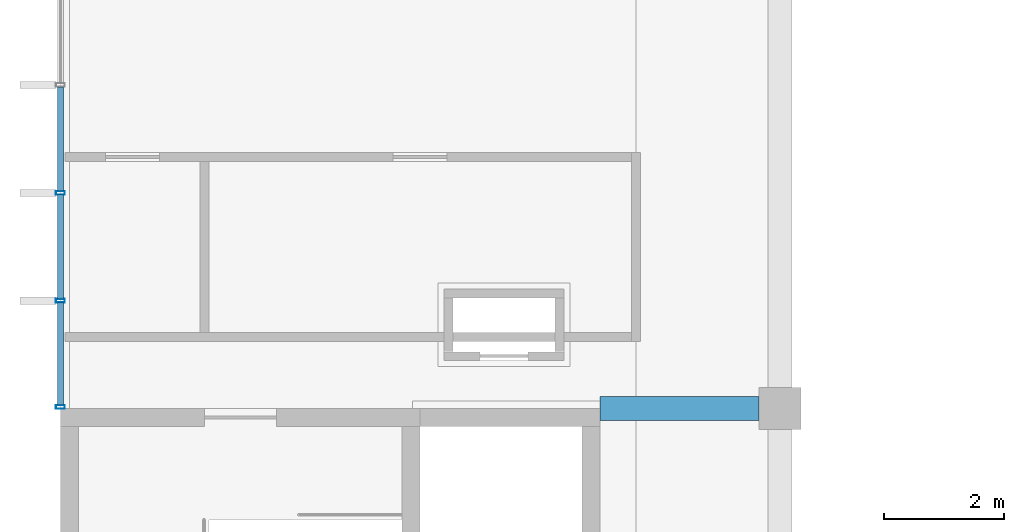
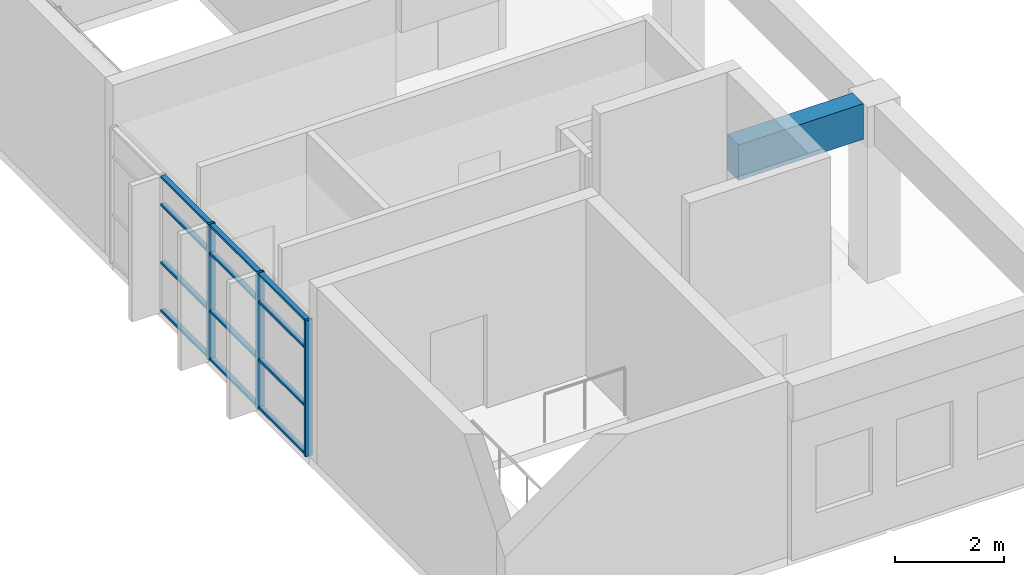
# One storey, part 4 of 47: 15 members, 1 beam, 1 element without a shape of its own.
"""IFC4 building model written with IfcOpenShell, lengths in metres."""

from ifc_helpers import new_model, si_unit, direction, frame, origin, origin_2d, place, context, subcontext, project, spatial, rectangle, hollow_rectangle, extrude, material, material_profile, profile_set, type_object, element, aggregate, save


model = new_model("IFC4")

# Units and contexts
model_context = context("Model", 3, precision=1e-05, world=origin(), true_north=direction((0.0, 1.0)))
body_context = subcontext(model_context, "Body", "Model", "MODEL_VIEW")
ifc_project = project(units=[si_unit("LENGTHUNIT", "METRE"), si_unit("AREAUNIT", "SQUARE_METRE"), si_unit("VOLUMEUNIT", "CUBIC_METRE"), si_unit("PLANEANGLEUNIT", "RADIAN"), si_unit("MASSUNIT", "GRAM", prefix="KILO")], contexts=[model_context])

# Site, building, storey
site_placement = place(None, origin())
site = spatial("IfcSite", under=ifc_project, at=site_placement, CompositionType="ELEMENT")
building_placement = place(site_placement, origin())
building = spatial("IfcBuilding", under=site, at=building_placement, Name="Laocheng Heights Fire and Rescue Headquarters", CompositionType="ELEMENT")
storey_placement = place(building_placement, frame((0.0, 0.0, 16.800048828125)))
storey = spatial("IfcBuildingStorey", under=building, at=storey_placement, Name="L04", CompositionType="ELEMENT", Elevation=16.800048828125)

# Curtain wall, members
ifc_material_1 = material(Name="Dark anodised aluminium unitised curtain wall, low-e double glazing", Category="aluminium")
curtain_wall_type = type_object("IfcCurtainWallType", Name="CW 7200 x 3050 FOYER GLAZING", PredefinedType="NOTDEFINED", material=ifc_material_1)
curtain_wall_placement = place(storey_placement, origin())
curtain_wall = element("IfcCurtainWall", 1, at=curtain_wall_placement, inside=storey, type_object=curtain_wall_type, Name="X4-V FOYER WEST L04", PredefinedType="NOTDEFINED")
ifc_material_2 = material(Name="Dark anodised aluminium 6063-T5 extrusion", Category="aluminium")
ifc_material_profile_1 = material_profile(ifc_material_2, hollow_rectangle(XDim=0.14990234375, YDim=0.06005859375, WallThickness=0.0029296875, at=origin_2d()), Name="AL MULLION 150x60x3 FOYER GLAZING")
ifc_profile_set_1 = profile_set([ifc_material_profile_1], Name="Dark anodised aluminium 6063-T5 extrusion")
member_type_1 = type_object("IfcMemberType", Name="AL MULLION 150x60x3 FOYER GLAZING", PredefinedType="MULLION", material=ifc_profile_set_1)
member_1_placement = place(storey_placement, frame((0.0, 43.22998046875, 0.0), z_axis=(0.0, 0.0, 1.0), x_axis=(-1.0, 0.0, 0.0)))
member_1 = element("IfcMember", 2, at=member_1_placement, type_object=member_type_1, Name="X4-V mullion 1", PredefinedType="MULLION", context=body_context, shape_type="SweptSolid", body=[
    extrude(hollow_rectangle(XDim=0.14990234375, YDim=0.06005859375, WallThickness=0.0029296875, at=origin_2d()), origin(), (0.0, 0.0, 1.0), 3.050048828125),
])
member_2_placement = place(storey_placement, frame((0.0, 45.0, 0.0), z_axis=(0.0, 0.0, 1.0), x_axis=(-1.0, 0.0, 0.0)))
member_2 = element("IfcMember", 3, at=member_2_placement, type_object=member_type_1, Name="X4-V mullion 2", PredefinedType="MULLION", context=body_context, shape_type="SweptSolid", body=[
    extrude(hollow_rectangle(XDim=0.14990234375, YDim=0.06005859375, WallThickness=0.0029296875, at=origin_2d()), origin(), (0.0, 0.0, 1.0), 3.050048828125),
])
member_3_placement = place(storey_placement, frame((0.0, 46.800048828125, 0.0), z_axis=(0.0, 0.0, 1.0), x_axis=(-1.0, 0.0, 0.0)))
member_3 = element("IfcMember", 4, at=member_3_placement, type_object=member_type_1, Name="X4-V mullion 3", PredefinedType="MULLION", context=body_context, shape_type="SweptSolid", body=[
    extrude(hollow_rectangle(XDim=0.14990234375, YDim=0.06005859375, WallThickness=0.0029296875, at=origin_2d()), origin(), (0.0, 0.0, 1.0), 3.050048828125),
])
ifc_material_3 = material(Name="Dark anodised aluminium 6063-T5 extrusion", Category="aluminium")
ifc_material_profile_2 = material_profile(ifc_material_3, hollow_rectangle(XDim=0.10009765625, YDim=0.050048828125, WallThickness=0.0029296875, at=origin_2d()), Name="AL TRANSOM 100x50x3 FOYER GLAZING")
ifc_profile_set_2 = profile_set([ifc_material_profile_2], Name="Dark anodised aluminium 6063-T5 extrusion")
member_type_2 = type_object("IfcMemberType", Name="AL TRANSOM 100x50x3 FOYER GLAZING", PredefinedType="USERDEFINED", material=ifc_profile_set_2)
member_4_placement = place(storey_placement, frame((0.0, 43.260009765625, 0.02490234375), z_axis=(0.0, 1.0, 0.0), x_axis=(-1.0, 0.0, 0.0)))
member_4 = element("IfcMember", 5, at=member_4_placement, type_object=member_type_2, Name="X4-V transom 1.1", ObjectType="TRANSOM", PredefinedType="USERDEFINED", context=body_context, shape_type="SweptSolid", body=[
    extrude(hollow_rectangle(XDim=0.10009765625, YDim=0.050048828125, WallThickness=0.0029296875, at=origin_2d()), origin(), (0.0, 0.0, 1.0), 1.7099609375),
])
member_5_placement = place(storey_placement, frame((0.0, 43.260009765625, 1.099853515625), z_axis=(0.0, 1.0, 0.0), x_axis=(-1.0, 0.0, 0.0)))
member_5 = element("IfcMember", 6, at=member_5_placement, type_object=member_type_2, Name="X4-V transom 1.2", ObjectType="TRANSOM", PredefinedType="USERDEFINED", context=body_context, shape_type="SweptSolid", body=[
    extrude(hollow_rectangle(XDim=0.10009765625, YDim=0.050048828125, WallThickness=0.0029296875, at=origin_2d()), origin(), (0.0, 0.0, 1.0), 1.7099609375),
])
member_6_placement = place(storey_placement, frame((0.0, 43.260009765625, 2.39990234375), z_axis=(0.0, 1.0, 0.0), x_axis=(-1.0, 0.0, 0.0)))
member_6 = element("IfcMember", 7, at=member_6_placement, type_object=member_type_2, Name="X4-V transom 1.3", ObjectType="TRANSOM", PredefinedType="USERDEFINED", context=body_context, shape_type="SweptSolid", body=[
    extrude(hollow_rectangle(XDim=0.10009765625, YDim=0.050048828125, WallThickness=0.0029296875, at=origin_2d()), origin(), (0.0, 0.0, 1.0), 1.7099609375),
])
member_7_placement = place(storey_placement, frame((0.0, 43.260009765625, 3.02490234375), z_axis=(0.0, 1.0, 0.0), x_axis=(-1.0, 0.0, 0.0)))
member_7 = element("IfcMember", 8, at=member_7_placement, type_object=member_type_2, Name="X4-V transom 1.4", ObjectType="TRANSOM", PredefinedType="USERDEFINED", context=body_context, shape_type="SweptSolid", body=[
    extrude(hollow_rectangle(XDim=0.10009765625, YDim=0.050048828125, WallThickness=0.0029296875, at=origin_2d()), origin(), (0.0, 0.0, 1.0), 1.7099609375),
])
member_8_placement = place(storey_placement, frame((0.0, 45.030029296875, 0.02490234375), z_axis=(0.0, 1.0, 0.0), x_axis=(-1.0, 0.0, 0.0)))
member_8 = element("IfcMember", 9, at=member_8_placement, type_object=member_type_2, Name="X4-V transom 2.1", ObjectType="TRANSOM", PredefinedType="USERDEFINED", context=body_context, shape_type="SweptSolid", body=[
    extrude(hollow_rectangle(XDim=0.10009765625, YDim=0.050048828125, WallThickness=0.0029296875, at=origin_2d()), origin(), (0.0, 0.0, 1.0), 1.739990234375),
])
member_9_placement = place(storey_placement, frame((0.0, 45.030029296875, 1.099853515625), z_axis=(0.0, 1.0, 0.0), x_axis=(-1.0, 0.0, 0.0)))
member_9 = element("IfcMember", 10, at=member_9_placement, type_object=member_type_2, Name="X4-V transom 2.2", ObjectType="TRANSOM", PredefinedType="USERDEFINED", context=body_context, shape_type="SweptSolid", body=[
    extrude(hollow_rectangle(XDim=0.10009765625, YDim=0.050048828125, WallThickness=0.0029296875, at=origin_2d()), origin(), (0.0, 0.0, 1.0), 1.739990234375),
])
member_10_placement = place(storey_placement, frame((0.0, 45.030029296875, 2.39990234375), z_axis=(0.0, 1.0, 0.0), x_axis=(-1.0, 0.0, 0.0)))
member_10 = element("IfcMember", 11, at=member_10_placement, type_object=member_type_2, Name="X4-V transom 2.3", ObjectType="TRANSOM", PredefinedType="USERDEFINED", context=body_context, shape_type="SweptSolid", body=[
    extrude(hollow_rectangle(XDim=0.10009765625, YDim=0.050048828125, WallThickness=0.0029296875, at=origin_2d()), origin(), (0.0, 0.0, 1.0), 1.739990234375),
])
member_11_placement = place(storey_placement, frame((0.0, 45.030029296875, 3.02490234375), z_axis=(0.0, 1.0, 0.0), x_axis=(-1.0, 0.0, 0.0)))
member_11 = element("IfcMember", 12, at=member_11_placement, type_object=member_type_2, Name="X4-V transom 2.4", ObjectType="TRANSOM", PredefinedType="USERDEFINED", context=body_context, shape_type="SweptSolid", body=[
    extrude(hollow_rectangle(XDim=0.10009765625, YDim=0.050048828125, WallThickness=0.0029296875, at=origin_2d()), origin(), (0.0, 0.0, 1.0), 1.739990234375),
])
member_12_placement = place(storey_placement, frame((0.0, 46.830078125, 0.02490234375), z_axis=(0.0, 1.0, 0.0), x_axis=(-1.0, 0.0, 0.0)))
member_12 = element("IfcMember", 13, at=member_12_placement, type_object=member_type_2, Name="X4-V transom 3.1", ObjectType="TRANSOM", PredefinedType="USERDEFINED", context=body_context, shape_type="SweptSolid", body=[
    extrude(hollow_rectangle(XDim=0.10009765625, YDim=0.050048828125, WallThickness=0.0029296875, at=origin_2d()), origin(), (0.0, 0.0, 1.0), 1.739990234375),
])
member_13_placement = place(storey_placement, frame((0.0, 46.830078125, 1.099853515625), z_axis=(0.0, 1.0, 0.0), x_axis=(-1.0, 0.0, 0.0)))
member_13 = element("IfcMember", 14, at=member_13_placement, type_object=member_type_2, Name="X4-V transom 3.2", ObjectType="TRANSOM", PredefinedType="USERDEFINED", context=body_context, shape_type="SweptSolid", body=[
    extrude(hollow_rectangle(XDim=0.10009765625, YDim=0.050048828125, WallThickness=0.0029296875, at=origin_2d()), origin(), (0.0, 0.0, 1.0), 1.739990234375),
])
member_14_placement = place(storey_placement, frame((0.0, 46.830078125, 2.39990234375), z_axis=(0.0, 1.0, 0.0), x_axis=(-1.0, 0.0, 0.0)))
member_14 = element("IfcMember", 15, at=member_14_placement, type_object=member_type_2, Name="X4-V transom 3.3", ObjectType="TRANSOM", PredefinedType="USERDEFINED", context=body_context, shape_type="SweptSolid", body=[
    extrude(hollow_rectangle(XDim=0.10009765625, YDim=0.050048828125, WallThickness=0.0029296875, at=origin_2d()), origin(), (0.0, 0.0, 1.0), 1.739990234375),
])
member_15_placement = place(storey_placement, frame((0.0, 46.830078125, 3.02490234375), z_axis=(0.0, 1.0, 0.0), x_axis=(-1.0, 0.0, 0.0)))
member_15 = element("IfcMember", 16, at=member_15_placement, type_object=member_type_2, Name="X4-V transom 3.4", ObjectType="TRANSOM", PredefinedType="USERDEFINED", context=body_context, shape_type="SweptSolid", body=[
    extrude(hollow_rectangle(XDim=0.10009765625, YDim=0.050048828125, WallThickness=0.0029296875, at=origin_2d()), origin(), (0.0, 0.0, 1.0), 1.739990234375),
])
aggregate(curtain_wall, [member_1, member_2, member_3, member_4, member_5, member_6, member_7, member_8, member_9, member_10, member_11, member_12, member_13, member_14, member_15])

# Beam
ifc_material_4 = material(Name="Concrete C40", Category="concrete")
ifc_material_profile_3 = material_profile(ifc_material_4, rectangle(XDim=0.39990234375, YDim=0.800048828125, at=origin_2d()), Name="RC BEAM 400x800 FOYER")
ifc_profile_set_3 = profile_set([ifc_material_profile_3], Name="Concrete C40")
beam_type = type_object("IfcBeamType", Name="RC BEAM 400x800 FOYER", PredefinedType="BEAM", material=ifc_profile_set_3)
beam_placement = place(storey_placement, frame((9.0, 43.199951171875, 3.550048828125), z_axis=(1.0, 0.0, 0.0), x_axis=(0.0, 1.0, 0.0)))
element("IfcBeam", 17, at=beam_placement, inside=storey, type_object=beam_type, Name="Foyer beam L04", PredefinedType="BEAM", context=body_context, shape_type="SweptSolid", body=[
    extrude(rectangle(XDim=0.39990234375, YDim=0.800048828125, at=origin_2d()), origin(), (0.0, 0.0, 1.0), 2.64990234375),
])

save(model, "model.ifc")
